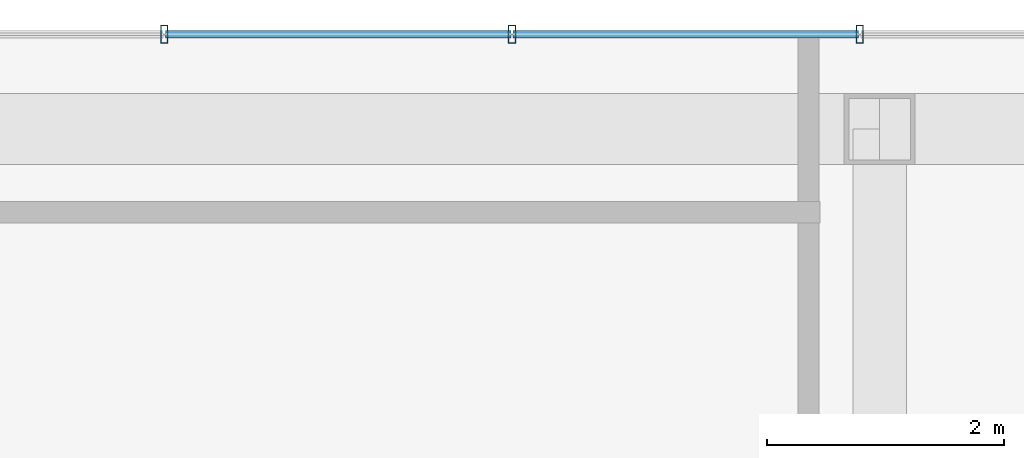
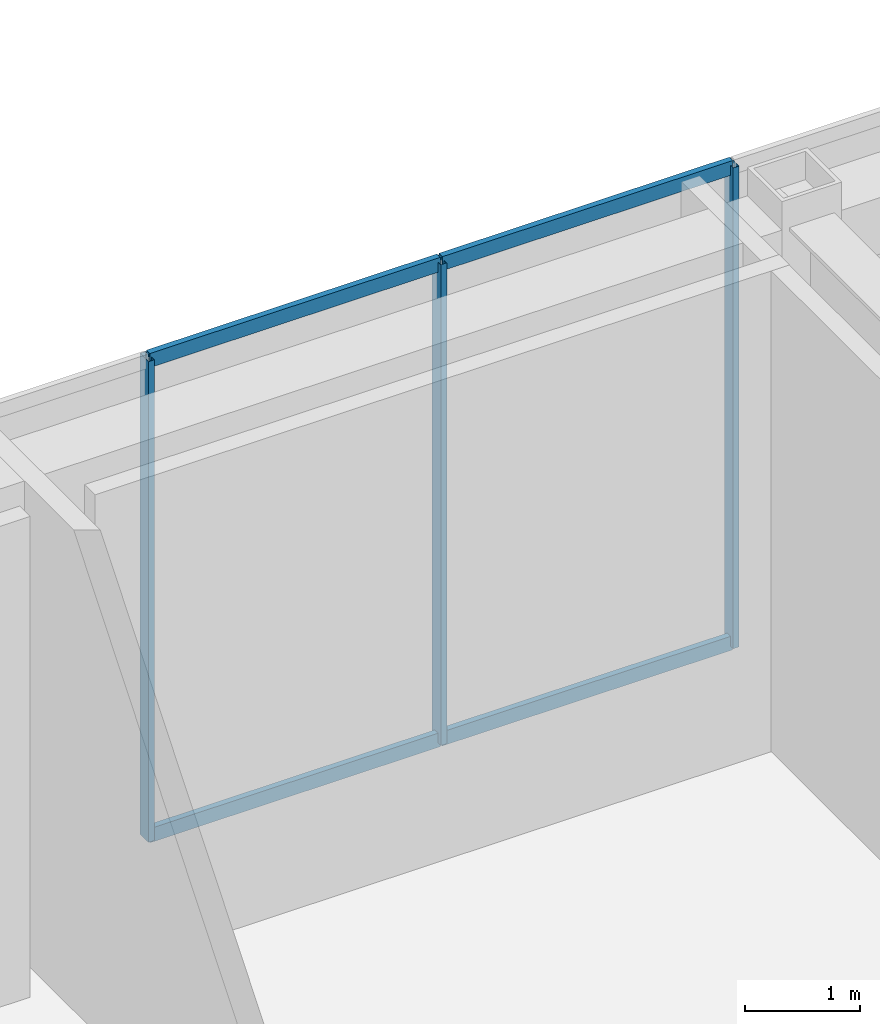
# One storey, part 5 of 10: 7 members, 1 element without a shape of its own.
"""IFC4 building model written with IfcOpenShell, lengths in metres."""

from ifc_helpers import new_model, si_unit, direction, frame, origin, origin_2d, place, context, subcontext, project, spatial, hollow_rectangle, extrude, material, material_profile, profile_set, type_object, element, aggregate, save


model = new_model("IFC4")

# Units and contexts
model_context = context("Model", 3, precision=1e-05, world=origin(), true_north=direction((0.0, 1.0)))
body_context = subcontext(model_context, "Body", "Model", "MODEL_VIEW")
ifc_project = project(units=[si_unit("LENGTHUNIT", "METRE"), si_unit("AREAUNIT", "SQUARE_METRE"), si_unit("VOLUMEUNIT", "CUBIC_METRE"), si_unit("PLANEANGLEUNIT", "RADIAN"), si_unit("MASSUNIT", "GRAM", prefix="KILO")], contexts=[model_context])

# Site, building, storey
site_placement = place(None, origin())
site = spatial("IfcSite", under=ifc_project, at=site_placement, CompositionType="ELEMENT")
building_placement = place(site_placement, origin())
building = spatial("IfcBuilding", under=site, at=building_placement, Name="Ventersveld Concourse Tower", CompositionType="ELEMENT")
storey_placement = place(building_placement, frame((0.0, 0.0, 382.85009765625)))
storey = spatial("IfcBuildingStorey", under=building, at=storey_placement, Name="L93", CompositionType="ELEMENT", Elevation=382.85009765625)

# Curtain wall, members
ifc_material = material(Name="Anodised aluminium EN AW-6063-T6", Category="aluminium")
curtain_wall_type = type_object("IfcCurtainWallType", Name="CW-CRN-6", PredefinedType="NOTDEFINED", material=ifc_material)
curtain_wall_placement = place(storey_placement, origin())
curtain_wall = element("IfcCurtainWall", 1, at=curtain_wall_placement, inside=storey, type_object=curtain_wall_type, Name="L93 L93 Crown North Glazed Curtain Wall", PredefinedType="NOTDEFINED")
ifc_material_profile_1 = material_profile(ifc_material, hollow_rectangle(XDim=0.06005859375, YDim=0.14990234375, WallThickness=0.00390625, at=origin_2d()), Name="ALU 150x60x4")
ifc_profile_set_1 = profile_set([ifc_material_profile_1], Name="Anodised aluminium EN AW-6063-T6")
member_type_1 = type_object("IfcMemberType", Name="CWM-150x65", PredefinedType="MULLION", material=ifc_profile_set_1)
member_1_placement = place(storey_placement, frame((36.083251953125, 22.0, 0.0), z_axis=(0.0, 0.0, 1.0), x_axis=(1.0, 0.0, 0.0)))
member_1 = element("IfcMember", 2, at=member_1_placement, type_object=member_type_1, Name="CW-L93-N Mullion 03", PredefinedType="MULLION", context=body_context, shape_type="SweptSolid", body=[
    extrude(hollow_rectangle(XDim=0.06005859375, YDim=0.14990234375, WallThickness=0.00390625, at=origin_2d()), origin(), (0.0, 0.0, 1.0), 5.099853515625),
])
member_2_placement = place(storey_placement, frame((33.14990234375, 22.0, 0.0), z_axis=(0.0, 0.0, 1.0), x_axis=(1.0, 0.0, 0.0)))
member_2 = element("IfcMember", 3, at=member_2_placement, type_object=member_type_1, Name="CW-L93-N Mullion 04", PredefinedType="MULLION", context=body_context, shape_type="SweptSolid", body=[
    extrude(hollow_rectangle(XDim=0.06005859375, YDim=0.14990234375, WallThickness=0.00390625, at=origin_2d()), origin(), (0.0, 0.0, 1.0), 5.099853515625),
])
member_3_placement = place(storey_placement, frame((30.216796875, 22.0, 0.0), z_axis=(0.0, 0.0, 1.0), x_axis=(1.0, 0.0, 0.0)))
member_3 = element("IfcMember", 4, at=member_3_placement, type_object=member_type_1, Name="CW-L93-N Mullion 05", PredefinedType="MULLION", context=body_context, shape_type="SweptSolid", body=[
    extrude(hollow_rectangle(XDim=0.06005859375, YDim=0.14990234375, WallThickness=0.00390625, at=origin_2d()), origin(), (0.0, 0.0, 1.0), 5.099853515625),
])
ifc_material_profile_2 = material_profile(ifc_material, hollow_rectangle(XDim=0.06005859375, YDim=0.14990234375, WallThickness=0.00390625, at=origin_2d()), Name="ALU 150x60x4")
ifc_profile_set_2 = profile_set([ifc_material_profile_2], Name="Anodised aluminium EN AW-6063-T6")
member_type_2 = type_object("IfcMemberType", Name="CWT-150x60", PredefinedType="USERDEFINED", material=ifc_profile_set_2)
member_4_placement = place(storey_placement, frame((36.0732421875, 22.0, 0.02978515625), z_axis=(-1.0, 0.0, 0.0), x_axis=(0.0, -1.0, 0.0)))
member_4 = element("IfcMember", 5, at=member_4_placement, type_object=member_type_2, Name="CW-L93-N Transom 1-03", ObjectType="TRANSOM", PredefinedType="USERDEFINED", context=body_context, shape_type="SweptSolid", body=[
    extrude(hollow_rectangle(XDim=0.06005859375, YDim=0.14990234375, WallThickness=0.00390625, at=origin_2d()), origin(), (0.0, 0.0, 1.0), 2.913330078125),
])
member_5_placement = place(storey_placement, frame((33.139892578125, 22.0, 0.02978515625), z_axis=(-1.0, 0.0, 0.0), x_axis=(0.0, -1.0, 0.0)))
member_5 = element("IfcMember", 6, at=member_5_placement, type_object=member_type_2, Name="CW-L93-N Transom 1-04", ObjectType="TRANSOM", PredefinedType="USERDEFINED", context=body_context, shape_type="SweptSolid", body=[
    extrude(hollow_rectangle(XDim=0.06005859375, YDim=0.14990234375, WallThickness=0.00390625, at=origin_2d()), origin(), (0.0, 0.0, 1.0), 2.9130859375),
])
member_6_placement = place(storey_placement, frame((36.0732421875, 22.0, 5.06982421875), z_axis=(-1.0, 0.0, 0.0), x_axis=(0.0, -1.0, 0.0)))
member_6 = element("IfcMember", 7, at=member_6_placement, type_object=member_type_2, Name="CW-L93-N Transom 2-03", ObjectType="TRANSOM", PredefinedType="USERDEFINED", context=body_context, shape_type="SweptSolid", body=[
    extrude(hollow_rectangle(XDim=0.06005859375, YDim=0.14990234375, WallThickness=0.00390625, at=origin_2d()), origin(), (0.0, 0.0, 1.0), 2.913330078125),
])
member_7_placement = place(storey_placement, frame((33.139892578125, 22.0, 5.06982421875), z_axis=(-1.0, 0.0, 0.0), x_axis=(0.0, -1.0, 0.0)))
member_7 = element("IfcMember", 8, at=member_7_placement, type_object=member_type_2, Name="CW-L93-N Transom 2-04", ObjectType="TRANSOM", PredefinedType="USERDEFINED", context=body_context, shape_type="SweptSolid", body=[
    extrude(hollow_rectangle(XDim=0.06005859375, YDim=0.14990234375, WallThickness=0.00390625, at=origin_2d()), origin(), (0.0, 0.0, 1.0), 2.9130859375),
])
aggregate(curtain_wall, [member_1, member_2, member_3, member_4, member_5, member_6, member_7])

save(model, "model.ifc")
